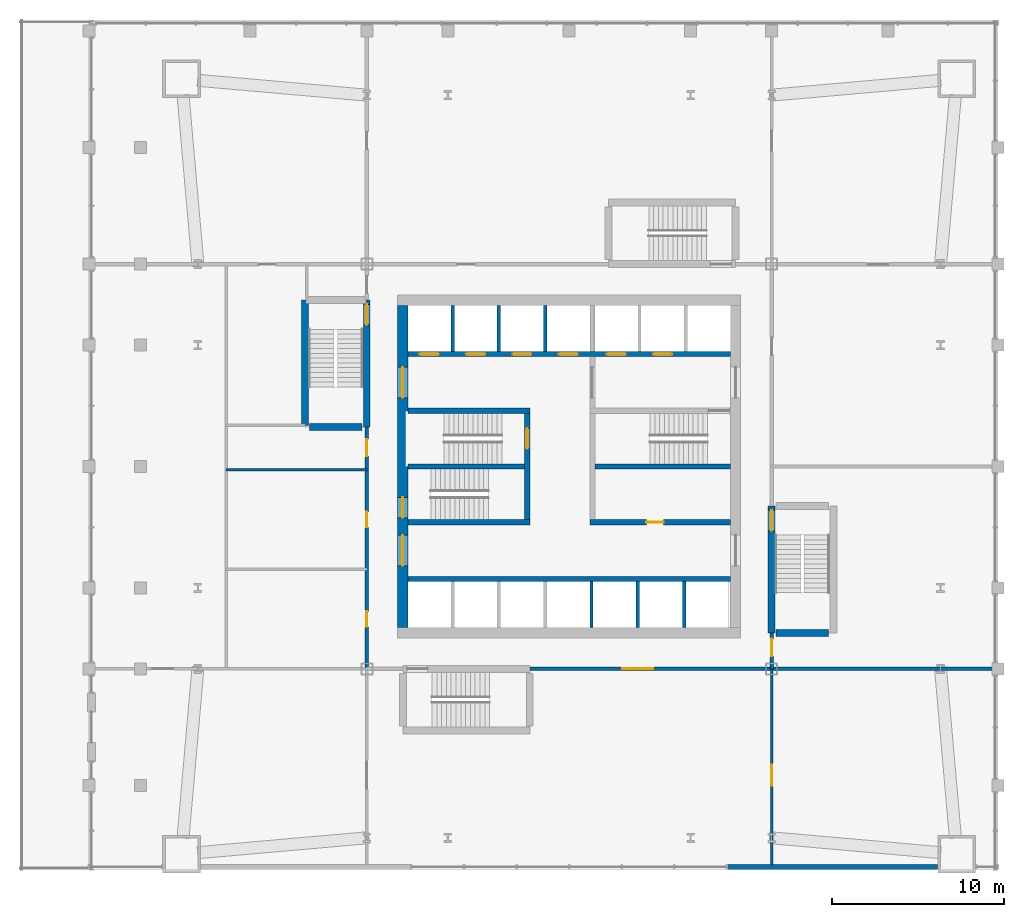
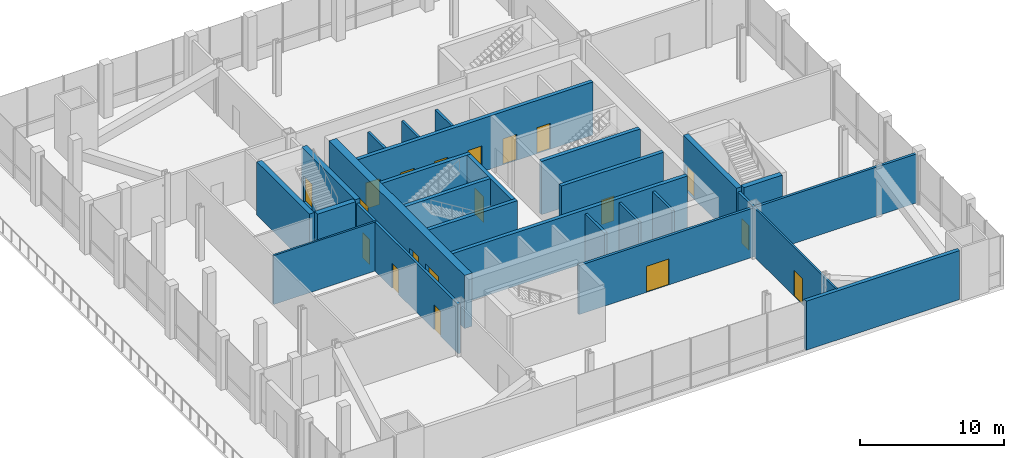
# One storey, part 12 of 15: 27 walls, 19 doors, 19 openings.
"""IFC4 building model written with IfcOpenShell, lengths in metres."""

import ifcopenshell
import ifcopenshell.guid

model = None  # the IFC model being written
_history = None  # IfcOwnerHistory: only IFC2X3 demands one
_inside = {}  # id of a spatial element -> (the spatial element, [elements in it])
_under = {}  # id of a project, library or spatial element -> (it, [spatial elements below it])
_declared = {}  # id of a project -> (the project, [libraries it declares])
_typed = {}  # id of a type object -> (the type object, [elements of that type])
_made_of = {}  # id of a material, layer set ... -> (it, [elements and type objects made of it])


def new_model(schema):
    """Start an empty IFC model of exactly this schema.

    Asked for "IFC4X3", IfcOpenShell would pick the latest addendum, in which some entities
    have other attributes; the version numbers below select the first issue.
    IFC2X3 requires an IfcOwnerHistory on every rooted entity: one is made here for all.
    """
    global model, _history
    if schema == "IFC4X3":
        model = ifcopenshell.file(schema_version=(4, 3, 0, 0))
    else:
        model = ifcopenshell.file(schema=schema)
    _inside.clear()
    _under.clear()
    _declared.clear()
    _typed.clear()
    _made_of.clear()
    _history = None
    if model.schema == "IFC2X3":
        org = make("IfcOrganization", Name="unknown")
        user = make(
            "IfcPersonAndOrganization",
            ThePerson=make("IfcPerson", FamilyName="unknown"),
            TheOrganization=org,
        )
        app = make(
            "IfcApplication",
            ApplicationDeveloper=org,
            Version="unknown",
            ApplicationFullName="unknown",
            ApplicationIdentifier="unknown",
        )
        _history = make(
            "IfcOwnerHistory",
            OwningUser=user,
            OwningApplication=app,
            ChangeAction="ADDED",
            CreationDate=0,
        )
    return model


def make(cls, **values):
    """One entity of the class cls with the attributes given. An attribute that is None is left unset."""
    return model.create_entity(
        cls, **{name: value for name, value in values.items() if value is not None}
    )


def rooted(cls, **values):
    """An entity with a GlobalId (a new one), such as an element, a storey or a relation."""
    return make(cls, GlobalId=ifcopenshell.guid.new(), OwnerHistory=_history, **values)


def si_unit(unit_type, name, prefix=None):
    """IfcSIUnit, for example si_unit("LENGTHUNIT", "METRE", prefix="MILLI")."""
    return make("IfcSIUnit", UnitType=unit_type, Prefix=prefix, Name=name)


def assignment(units):
    """IfcUnitAssignment: the units of a project."""
    return None if units is None else make("IfcUnitAssignment", Units=units)


def point(xyz):
    """IfcCartesianPoint."""
    return None if xyz is None else make("IfcCartesianPoint", Coordinates=xyz)


def direction(xyz):
    """IfcDirection."""
    return None if xyz is None else make("IfcDirection", DirectionRatios=xyz)


def frame(location, z_axis=None, x_axis=None):
    """IfcAxis2Placement3D, a coordinate frame: its origin and axes. An axis left out is left unset."""
    return make(
        "IfcAxis2Placement3D",
        Location=point(location),
        Axis=direction(z_axis),
        RefDirection=direction(x_axis),
    )


def frame_2d(location, x_axis=None):
    """IfcAxis2Placement2D, a coordinate frame in the plane: its origin and x axis."""
    return make(
        "IfcAxis2Placement2D", Location=point(location), RefDirection=direction(x_axis)
    )


def origin():
    """The frame at (0, 0, 0) with its axes left unset."""
    return frame((0.0, 0.0, 0.0))


def place(relative_to, where):
    """IfcLocalPlacement: puts the frame where relative to a parent placement (None: the world)."""
    return make(
        "IfcLocalPlacement", PlacementRelTo=relative_to, RelativePlacement=where
    )


def context(
    kind, dimensions, precision=None, world=None, true_north=None, identifier=None
):
    """IfcGeometricRepresentationContext, for example the 3D "Model" context."""
    return make(
        "IfcGeometricRepresentationContext",
        ContextIdentifier=identifier,
        ContextType=kind,
        CoordinateSpaceDimension=dimensions,
        Precision=precision,
        WorldCoordinateSystem=world,
        TrueNorth=true_north,
    )


def subcontext(parent, identifier, kind, view, scale=None):
    """IfcGeometricRepresentationSubContext, for example "Body" below "Model"."""
    return make(
        "IfcGeometricRepresentationSubContext",
        ContextIdentifier=identifier,
        ContextType=kind,
        ParentContext=parent,
        TargetScale=scale,
        TargetView=view,
    )


def project(units=None, contexts=None):
    """IfcProject with its units and contexts."""
    return rooted(
        "IfcProject",
        Name="project",
        RepresentationContexts=contexts,
        UnitsInContext=assignment(units),
    )


def spatial(cls, under=None, at=None, **own):
    """A site, building, storey or space (cls), placed at a placement, below another one or the project."""
    s = rooted(cls, ObjectPlacement=at, **own)
    if under is not None:
        _under.setdefault(under.id(), (under, []))[1].append(s)
    return s


def profile(cls, at=None, kind="AREA", **sizes):
    """A parametric profile (cls). Its sizes go by their IFC names, for example OverallWidth=200.0."""
    return make(cls, ProfileType=kind, Position=at, **sizes)


def rectangle(**sizes):
    """IfcRectangleProfileDef."""
    return profile("IfcRectangleProfileDef", **sizes)


def extrude(swept, where, along, depth):
    """IfcExtrudedAreaSolid: the profile swept, set in the frame where, extruded along a direction by depth."""
    return make(
        "IfcExtrudedAreaSolid",
        SweptArea=swept,
        Position=where,
        ExtrudedDirection=direction(along),
        Depth=depth,
    )


def shape(context_of_items, identifier, shape_type, items):
    """IfcShapeRepresentation: the items that make up one representation, for example the "Body"."""
    return make(
        "IfcShapeRepresentation",
        ContextOfItems=context_of_items,
        RepresentationIdentifier=identifier,
        RepresentationType=shape_type,
        Items=items,
    )


def material(Name=None, Category=None):
    """IfcMaterial."""
    return make("IfcMaterial", Name=Name, Category=Category)


def layer(
    of_material, thickness, ventilated=None, Name=None, Category=None, Priority=None
):
    """IfcMaterialLayer: one layer of a wall or slab, of a material (None: an air gap)."""
    return make(
        "IfcMaterialLayer",
        Material=of_material,
        LayerThickness=thickness,
        IsVentilated=ventilated,
        Name=Name,
        Category=Category,
        Priority=Priority,
    )


def layer_set(layers, Name=None):
    """IfcMaterialLayerSet."""
    return make("IfcMaterialLayerSet", MaterialLayers=layers, LayerSetName=Name)


def made_of(thing, what):
    """Note that an element or type object is made of a material, layer set ...; save() writes the relation."""
    if what is not None:
        _made_of.setdefault(what.id(), (what, []))[1].append(thing)
    return thing


def type_object(cls, material=None, **own):
    """A type object (cls), such as IfcWallType, which elements share."""
    return made_of(rooted(cls, **own), material)


def element(
    cls,
    number,
    at=None,
    inside=None,
    cuts=None,
    type_object=None,
    material=None,
    context=None,
    identifier="Body",
    shape_type=None,
    held_by="IfcProductDefinitionShape",
    body=None,
    shapes=None,
    **own,
):
    """One element of the class cls, such as IfcWall. Its Tag is "e" and its number.

    at: its placement. inside: the storey or other place that contains it. cuts: it is an
    opening in that element (IfcRelVoidsElement). A single representation is given by context,
    identifier, shape_type and body (its items); several are given by shapes. held_by: the class
    of the entity that holds the representations. save() writes the other relations.
    """
    e = rooted(cls, Tag="e%d" % number, ObjectPlacement=at, **own)
    if body is not None:
        shapes = [shape(context, identifier, shape_type, body)]
    if shapes is not None:
        e.Representation = make(held_by, Representations=shapes)
    if inside is not None:
        _inside.setdefault(inside.id(), (inside, []))[1].append(e)
    if cuts is not None:
        rooted(
            "IfcRelVoidsElement", RelatingBuildingElement=cuts, RelatedOpeningElement=e
        )
    if type_object is not None:
        _typed.setdefault(type_object.id(), (type_object, []))[1].append(e)
    return made_of(e, material)


def fill(opening, filler):
    """IfcRelFillsElement: the door or window that sits in an opening."""
    return rooted(
        "IfcRelFillsElement",
        RelatingOpeningElement=opening,
        RelatedBuildingElement=filler,
    )


def aggregate(whole, parts):
    """IfcRelAggregates: a whole, such as a stair, and the parts it consists of."""
    return rooted("IfcRelAggregates", RelatingObject=whole, RelatedObjects=parts)


def save(model, path):
    """Write the relations noted so far, then the file.

    IfcRelAggregates (storeys below a building ...), IfcRelContainedInSpatialStructure (elements
    in a storey), IfcRelDefinesByType, IfcRelAssociatesMaterial and IfcRelDeclares: one each for
    every whole, place, type object, material and project.
    """
    for whole, parts in _under.values():
        aggregate(whole, parts)
    for where, things in _inside.values():
        rooted(
            "IfcRelContainedInSpatialStructure",
            RelatedElements=things,
            RelatingStructure=where,
        )
    for kind, things in _typed.values():
        rooted("IfcRelDefinesByType", RelatedObjects=things, RelatingType=kind)
    for what, things in _made_of.values():
        rooted("IfcRelAssociatesMaterial", RelatedObjects=things, RelatingMaterial=what)
    for by, libraries in _declared.values():
        rooted("IfcRelDeclares", RelatingContext=by, RelatedDefinitions=libraries)
    model.write(path)


model = new_model("IFC4")

# Units and contexts
model_context = context("Model", 3, precision=1e-05, world=origin(), true_north=direction((0.0, 1.0)))
body_context = subcontext(model_context, "Body", "Model", "MODEL_VIEW")
ifc_project = project(units=[si_unit("LENGTHUNIT", "METRE"), si_unit("AREAUNIT", "SQUARE_METRE"), si_unit("VOLUMEUNIT", "CUBIC_METRE"), si_unit("PLANEANGLEUNIT", "RADIAN"), si_unit("MASSUNIT", "GRAM", prefix="KILO")], contexts=[model_context])

# Site, building, storey
site_placement = place(None, origin())
site = spatial("IfcSite", under=ifc_project, at=site_placement, CompositionType="ELEMENT")
building_placement = place(site_placement, origin())
building = spatial("IfcBuilding", under=site, at=building_placement, Name="Turquesa Mirador Hotel Tower", CompositionType="ELEMENT")
storey_placement = place(building_placement, frame((0.0, 0.0, 16.0)))
storey = spatial("IfcBuildingStorey", under=building, at=storey_placement, Name="L03", CompositionType="ELEMENT", Elevation=16.0)

# Wall, openings, doors
ifc_material_1 = material(Name="Concrete C50/60", Category="concrete")
ifc_layer_1 = layer(ifc_material_1, 0.300048828125)
ifc_layer_set_1 = layer_set([ifc_layer_1], Name="CORE INNER WALL 300")
wall_type_1 = type_object("IfcWallType", Name="CORE INNER WALL 300", PredefinedType="SHEAR", material=ifc_layer_set_1)
wall_1_placement = place(storey_placement, frame((45.60009765625, 51.550048828125, 0.0), z_axis=(0.0, 0.0, 1.0), x_axis=(1.0, 0.0, 0.0)))
wall_1 = element("IfcWall", 1, at=wall_1_placement, inside=storey, type_object=wall_type_1, Name="Core wall NL", PredefinedType="SHEAR", context=body_context, shape_type="SweptSolid", body=[
    extrude(rectangle(XDim=18.7998046875, YDim=0.300048828125, at=frame_2d((9.39990234375, 0.0))), origin(), (0.0, 0.0, 1.0), 4.5),
])
opening_1_placement = place(wall_1_placement, frame((0.699951171875, 0.0, 0.0)))
opening_1 = element("IfcOpeningElement", 2, at=opening_1_placement, cuts=wall_1, Name="Opening LD", PredefinedType="OPENING", context=body_context, shape_type="SweptSolid", body=[
    extrude(rectangle(XDim=1.10009765625, YDim=2.199951171875, at=frame_2d((0.550048828125, 1.10009765625))), frame((0.0, 0.159912109375, 0.0), z_axis=(0.0, -1.0, 0.0), x_axis=(1.0, 0.0, 0.0)), (0.0, 0.0, 1.0), 0.320068359375),
])
opening_2_placement = place(wall_1_placement, frame((3.39990234375, 0.0, 0.0)))
opening_2 = element("IfcOpeningElement", 3, at=opening_2_placement, cuts=wall_1, Name="Opening LD", PredefinedType="OPENING", context=body_context, shape_type="SweptSolid", body=[
    extrude(rectangle(XDim=1.10009765625, YDim=2.199951171875, at=frame_2d((0.550048828125, 1.10009765625))), frame((0.0, 0.159912109375, 0.0), z_axis=(0.0, -1.0, 0.0), x_axis=(1.0, 0.0, 0.0)), (0.0, 0.0, 1.0), 0.320068359375),
])
opening_3_placement = place(wall_1_placement, frame((6.10009765625, 0.0, 0.0)))
opening_3 = element("IfcOpeningElement", 4, at=opening_3_placement, cuts=wall_1, Name="Opening LD", PredefinedType="OPENING", context=body_context, shape_type="SweptSolid", body=[
    extrude(rectangle(XDim=1.10009765625, YDim=2.199951171875, at=frame_2d((0.550048828125, 1.10009765625))), frame((0.0, 0.159912109375, 0.0), z_axis=(0.0, -1.0, 0.0), x_axis=(1.0, 0.0, 0.0)), (0.0, 0.0, 1.0), 0.320068359375),
])
opening_4_placement = place(wall_1_placement, frame((8.800048828125, 0.0, 0.0)))
opening_4 = element("IfcOpeningElement", 5, at=opening_4_placement, cuts=wall_1, Name="Opening LD", PredefinedType="OPENING", context=body_context, shape_type="SweptSolid", body=[
    extrude(rectangle(XDim=1.10009765625, YDim=2.199951171875, at=frame_2d((0.550048828125, 1.10009765625))), frame((0.0, 0.159912109375, 0.0), z_axis=(0.0, -1.0, 0.0), x_axis=(1.0, 0.0, 0.0)), (0.0, 0.0, 1.0), 0.320068359375),
])
opening_5_placement = place(wall_1_placement, frame((11.60009765625, 0.0, 0.0)))
opening_5 = element("IfcOpeningElement", 6, at=opening_5_placement, cuts=wall_1, Name="Opening LD", PredefinedType="OPENING", context=body_context, shape_type="SweptSolid", body=[
    extrude(rectangle(XDim=1.10009765625, YDim=2.199951171875, at=frame_2d((0.550048828125, 1.10009765625))), frame((0.0, 0.159912109375, 0.0), z_axis=(0.0, -1.0, 0.0), x_axis=(1.0, 0.0, 0.0)), (0.0, 0.0, 1.0), 0.320068359375),
])
opening_6_placement = place(wall_1_placement, frame((14.300048828125, 0.0, 0.0)))
opening_6 = element("IfcOpeningElement", 7, at=opening_6_placement, cuts=wall_1, Name="Opening LD", PredefinedType="OPENING", context=body_context, shape_type="SweptSolid", body=[
    extrude(rectangle(XDim=1.10009765625, YDim=2.199951171875, at=frame_2d((0.550048828125, 1.10009765625))), frame((0.0, 0.159912109375, 0.0), z_axis=(0.0, -1.0, 0.0), x_axis=(1.0, 0.0, 0.0)), (0.0, 0.0, 1.0), 0.320068359375),
])
ifc_material_2 = material(Name="Stainless steel lift landing door", Category="steel")
door_type_1 = type_object("IfcDoorType", Name="LIFT LANDING DOOR 1100X2200", OperationType="SLIDING_TO_LEFT", PredefinedType="DOOR", material=ifc_material_2)
door_1_placement = place(opening_1_placement, origin())
door_1 = element("IfcDoor", 8, at=door_1_placement, inside=storey, type_object=door_type_1, Name="Lift A1 landing door", OperationType="SLIDING_TO_LEFT", OverallHeight=2.199951171875, OverallWidth=1.10009765625, PredefinedType="DOOR", context=body_context, shape_type="SweptSolid", body=[
    extrude(rectangle(XDim=1.10009765625, YDim=2.199951171875, at=frame_2d((0.550048828125, 1.10009765625))), frame((0.0, 0.02490234375, 0.0), z_axis=(0.0, -1.0, 0.0), x_axis=(1.0, 0.0, 0.0)), (0.0, 0.0, 1.0), 0.050048828125),
])
fill(opening_1, door_1)
door_2_placement = place(opening_2_placement, origin())
door_2 = element("IfcDoor", 9, at=door_2_placement, inside=storey, type_object=door_type_1, Name="Lift A2 landing door", OperationType="SLIDING_TO_LEFT", OverallHeight=2.199951171875, OverallWidth=1.10009765625, PredefinedType="DOOR", context=body_context, shape_type="SweptSolid", body=[
    extrude(rectangle(XDim=1.10009765625, YDim=2.199951171875, at=frame_2d((0.550048828125, 1.10009765625))), frame((0.0, 0.02490234375, 0.0), z_axis=(0.0, -1.0, 0.0), x_axis=(1.0, 0.0, 0.0)), (0.0, 0.0, 1.0), 0.050048828125),
])
fill(opening_2, door_2)
door_3_placement = place(opening_3_placement, origin())
door_3 = element("IfcDoor", 10, at=door_3_placement, inside=storey, type_object=door_type_1, Name="Lift A3 landing door", OperationType="SLIDING_TO_LEFT", OverallHeight=2.199951171875, OverallWidth=1.10009765625, PredefinedType="DOOR", context=body_context, shape_type="SweptSolid", body=[
    extrude(rectangle(XDim=1.10009765625, YDim=2.199951171875, at=frame_2d((0.550048828125, 1.10009765625))), frame((0.0, 0.02490234375, 0.0), z_axis=(0.0, -1.0, 0.0), x_axis=(1.0, 0.0, 0.0)), (0.0, 0.0, 1.0), 0.050048828125),
])
fill(opening_3, door_3)
door_4_placement = place(opening_4_placement, origin())
door_4 = element("IfcDoor", 11, at=door_4_placement, inside=storey, type_object=door_type_1, Name="Lift A4 landing door", OperationType="SLIDING_TO_LEFT", OverallHeight=2.199951171875, OverallWidth=1.10009765625, PredefinedType="DOOR", context=body_context, shape_type="SweptSolid", body=[
    extrude(rectangle(XDim=1.10009765625, YDim=2.199951171875, at=frame_2d((0.550048828125, 1.10009765625))), frame((0.0, 0.02490234375, 0.0), z_axis=(0.0, -1.0, 0.0), x_axis=(1.0, 0.0, 0.0)), (0.0, 0.0, 1.0), 0.050048828125),
])
fill(opening_4, door_4)
door_5_placement = place(opening_5_placement, origin())
door_5 = element("IfcDoor", 12, at=door_5_placement, inside=storey, type_object=door_type_1, Name="Lift S1 landing door", OperationType="SLIDING_TO_LEFT", OverallHeight=2.199951171875, OverallWidth=1.10009765625, PredefinedType="DOOR", context=body_context, shape_type="SweptSolid", body=[
    extrude(rectangle(XDim=1.10009765625, YDim=2.199951171875, at=frame_2d((0.550048828125, 1.10009765625))), frame((0.0, 0.02490234375, 0.0), z_axis=(0.0, -1.0, 0.0), x_axis=(1.0, 0.0, 0.0)), (0.0, 0.0, 1.0), 0.050048828125),
])
fill(opening_5, door_5)
door_6_placement = place(opening_6_placement, origin())
door_6 = element("IfcDoor", 13, at=door_6_placement, inside=storey, type_object=door_type_1, Name="Lift S2 landing door", OperationType="SLIDING_TO_LEFT", OverallHeight=2.199951171875, OverallWidth=1.10009765625, PredefinedType="DOOR", context=body_context, shape_type="SweptSolid", body=[
    extrude(rectangle(XDim=1.10009765625, YDim=2.199951171875, at=frame_2d((0.550048828125, 1.10009765625))), frame((0.0, 0.02490234375, 0.0), z_axis=(0.0, -1.0, 0.0), x_axis=(1.0, 0.0, 0.0)), (0.0, 0.0, 1.0), 0.050048828125),
])
fill(opening_6, door_6)

# Walls
wall_2_placement = place(storey_placement, frame((45.60009765625, 38.449951171875, 0.0), z_axis=(0.0, 0.0, 1.0), x_axis=(1.0, 0.0, 0.0)))
element("IfcWall", 14, at=wall_2_placement, inside=storey, type_object=wall_type_1, Name="Core wall SL", PredefinedType="SHEAR", context=body_context, shape_type="SweptSolid", body=[
    extrude(rectangle(XDim=18.7998046875, YDim=0.300048828125, at=frame_2d((9.39990234375, 0.0))), origin(), (0.0, 0.0, 1.0), 4.5),
])
for number, where, z_axis, x_axis, name in (
    (15, (45.60009765625, 48.25, 0.0), (0.0, 0.0, 1.0), (1.0, 0.0, 0.0), "Core wall MN-W"),
    (16, (45.60009765625, 41.75, 0.0), (0.0, 0.0, 1.0), (1.0, 0.0, 0.0), "Core wall MS-W"),
):
    element("IfcWall", number, at=place(storey_placement, frame(where, z_axis=z_axis, x_axis=x_axis)), inside=storey, type_object=wall_type_1, Name=name, PredefinedType="SHEAR", context=body_context, shape_type="SweptSolid", body=[
        extrude(rectangle(XDim=7.099853515625, YDim=0.300048828125, at=frame_2d((3.5498046875, 0.0))), origin(), (0.0, 0.0, 1.0), 4.5),
    ])

# Wall, opening, door
wall_3_placement = place(storey_placement, frame((56.199951171875, 41.75, 0.0), z_axis=(0.0, 0.0, 1.0), x_axis=(1.0, 0.0, 0.0)))
wall_3 = element("IfcWall", 17, at=wall_3_placement, inside=storey, type_object=wall_type_1, Name="Core wall MS-E", PredefinedType="SHEAR", context=body_context, shape_type="SweptSolid", body=[
    extrude(rectangle(XDim=8.199951171875, YDim=0.300048828125, at=frame_2d((4.10009765625, 0.0))), origin(), (0.0, 0.0, 1.0), 4.5),
])
opening_7_placement = place(wall_3_placement, frame((3.300048828125, 0.0, 0.0)))
opening_7 = element("IfcOpeningElement", 18, at=opening_7_placement, cuts=wall_3, Name="Opening D05", PredefinedType="OPENING", context=body_context, shape_type="SweptSolid", body=[
    extrude(rectangle(XDim=1.0, YDim=2.10009765625, at=frame_2d((0.5, 1.050048828125))), frame((0.0, 0.159912109375, 0.0), z_axis=(0.0, -1.0, 0.0), x_axis=(1.0, 0.0, 0.0)), (0.0, 0.0, 1.0), 0.320068359375),
])
ifc_material_3 = material(Name="Steel fire door", Category="steel")
door_type_2 = type_object("IfcDoorType", Name="DOOR 1000X2100 SERVICE", OperationType="SINGLE_SWING_LEFT", PredefinedType="DOOR", material=ifc_material_3)
door_7_placement = place(opening_7_placement, origin())
door_7 = element("IfcDoor", 19, at=door_7_placement, inside=storey, type_object=door_type_2, Name="Housekeeping room door", OperationType="SINGLE_SWING_LEFT", OverallHeight=2.10009765625, OverallWidth=1.0, PredefinedType="DOOR", context=body_context, shape_type="SweptSolid", body=[
    extrude(rectangle(XDim=1.0, YDim=2.10009765625, at=frame_2d((0.5, 1.050048828125))), frame((0.0, 0.02490234375, 0.0), z_axis=(0.0, -1.0, 0.0), x_axis=(1.0, 0.0, 0.0)), (0.0, 0.0, 1.0), 0.050048828125),
])
fill(opening_7, door_7)

wall_4_placement = place(storey_placement, frame((52.550048828125, 41.89990234375, 0.0), z_axis=(0.0, 0.0, 1.0), x_axis=(0.0, 1.0, 0.0)))
wall_4 = element("IfcWall", 20, at=wall_4_placement, inside=storey, type_object=wall_type_1, Name="Core wall PW", PredefinedType="SHEAR", context=body_context, shape_type="SweptSolid", body=[
    extrude(rectangle(XDim=6.2001953125, YDim=0.300048828125, at=frame_2d((3.10009765625, 0.0))), origin(), (0.0, 0.0, 1.0), 4.5),
])
opening_8_placement = place(wall_4_placement, frame((4.125, 0.0, 0.0)))
opening_8 = element("IfcOpeningElement", 21, at=opening_8_placement, cuts=wall_4, Name="Opening D03", PredefinedType="OPENING", context=body_context, shape_type="SweptSolid", body=[
    extrude(rectangle(XDim=1.199951171875, YDim=2.199951171875, at=frame_2d((0.60009765625, 1.10009765625))), frame((0.0, 0.159912109375, 0.0), z_axis=(0.0, -1.0, 0.0), x_axis=(1.0, 0.0, 0.0)), (0.0, 0.0, 1.0), 0.320068359375),
])
ifc_material_4 = material(Name="Steel fire door", Category="steel")
door_type_3 = type_object("IfcDoorType", Name="DOOR 1200X2200 STAIR", OperationType="SINGLE_SWING_LEFT", PredefinedType="DOOR", material=ifc_material_4)
door_8_placement = place(opening_8_placement, origin())
door_8 = element("IfcDoor", 22, at=door_8_placement, inside=storey, type_object=door_type_3, Name="Stair ST1 door", OperationType="SINGLE_SWING_LEFT", OverallHeight=2.199951171875, OverallWidth=1.199951171875, PredefinedType="DOOR", context=body_context, shape_type="SweptSolid", body=[
    extrude(rectangle(XDim=1.199951171875, YDim=2.199951171875, at=frame_2d((0.60009765625, 1.10009765625))), frame((0.0, 0.02490234375, 0.0), z_axis=(0.0, -1.0, 0.0), x_axis=(1.0, 0.0, 0.0)), (0.0, 0.0, 1.0), 0.050048828125),
])
fill(opening_8, door_8)

# Walls
wall_5_placement = place(storey_placement, frame((45.60009765625, 45.0, 0.0), z_axis=(0.0, 0.0, 1.0), x_axis=(1.0, 0.0, 0.0)))
element("IfcWall", 23, at=wall_5_placement, inside=storey, type_object=wall_type_1, Name="Core wall M0-W", PredefinedType="SHEAR", context=body_context, shape_type="SweptSolid", body=[
    extrude(rectangle(XDim=6.7998046875, YDim=0.300048828125, at=frame_2d((3.39990234375, 0.0))), origin(), (0.0, 0.0, 1.0), 4.5),
])
wall_6_placement = place(storey_placement, frame((56.5, 45.0, 0.0), z_axis=(0.0, 0.0, 1.0), x_axis=(1.0, 0.0, 0.0)))
element("IfcWall", 24, at=wall_6_placement, inside=storey, type_object=wall_type_1, Name="Core wall M0-E", PredefinedType="SHEAR", context=body_context, shape_type="SweptSolid", body=[
    extrude(rectangle(XDim=7.89990234375, YDim=0.300048828125, at=frame_2d((3.949951171875, 0.0))), origin(), (0.0, 0.0, 1.0), 4.5),
])

# Wall, openings, doors
ifc_material_5 = material(Name="Concrete C50/60", Category="concrete")
ifc_layer_2 = layer(ifc_material_5, 0.60009765625)
ifc_layer_set_2 = layer_set([ifc_layer_2], Name="CORE WALL 600")
wall_type_2 = type_object("IfcWallType", Name="CORE WALL 600", PredefinedType="SHEAR", material=ifc_layer_set_2)
wall_7_placement = place(storey_placement, frame((45.300048828125, 35.60009765625, 0.0), z_axis=(0.0, 0.0, 1.0), x_axis=(0.0, 1.0, 0.0)))
wall_7 = element("IfcWall", 25, at=wall_7_placement, inside=storey, type_object=wall_type_2, Name="Core wall W", PredefinedType="SHEAR", context=body_context, shape_type="SweptSolid", body=[
    extrude(rectangle(XDim=18.7998046875, YDim=0.60009765625, at=frame_2d((9.39990234375, 0.0))), origin(), (0.0, 0.0, 1.0), 4.5),
])
opening_9_placement = place(wall_7_placement, frame((13.39990234375, 0.0, 0.0)))
opening_9 = element("IfcOpeningElement", 26, at=opening_9_placement, cuts=wall_7, Name="Opening D04", PredefinedType="OPENING", context=body_context, shape_type="SweptSolid", body=[
    extrude(rectangle(XDim=1.800048828125, YDim=2.199951171875, at=frame_2d((0.89990234375, 1.10009765625))), frame((0.0, 0.31005859375, 0.0), z_axis=(0.0, -1.0, 0.0), x_axis=(1.0, 0.0, 0.0)), (0.0, 0.0, 1.0), 0.6201171875),
])
opening_10_placement = place(wall_7_placement, frame((3.60009765625, 0.0, 0.0)))
opening_10 = element("IfcOpeningElement", 27, at=opening_10_placement, cuts=wall_7, Name="Opening D04", PredefinedType="OPENING", context=body_context, shape_type="SweptSolid", body=[
    extrude(rectangle(XDim=1.800048828125, YDim=2.199951171875, at=frame_2d((0.89990234375, 1.10009765625))), frame((0.0, 0.31005859375, 0.0), z_axis=(0.0, -1.0, 0.0), x_axis=(1.0, 0.0, 0.0)), (0.0, 0.0, 1.0), 0.6201171875),
])
opening_11_placement = place(wall_7_placement, frame((6.39990234375, 0.0, 0.0)))
opening_11 = element("IfcOpeningElement", 28, at=opening_11_placement, cuts=wall_7, Name="Opening D03", PredefinedType="OPENING", context=body_context, shape_type="SweptSolid", body=[
    extrude(rectangle(XDim=1.199951171875, YDim=2.199951171875, at=frame_2d((0.60009765625, 1.10009765625))), frame((0.0, 0.31005859375, 0.0), z_axis=(0.0, -1.0, 0.0), x_axis=(1.0, 0.0, 0.0)), (0.0, 0.0, 1.0), 0.6201171875),
])
door_9_placement = place(opening_11_placement, origin())
door_9 = element("IfcDoor", 29, at=door_9_placement, inside=storey, type_object=door_type_3, Name="Stair ST2 door", OperationType="SINGLE_SWING_LEFT", OverallHeight=2.199951171875, OverallWidth=1.199951171875, PredefinedType="DOOR", context=body_context, shape_type="SweptSolid", body=[
    extrude(rectangle(XDim=1.199951171875, YDim=2.199951171875, at=frame_2d((0.60009765625, 1.10009765625))), frame((0.0, 0.02490234375, 0.0), z_axis=(0.0, -1.0, 0.0), x_axis=(1.0, 0.0, 0.0)), (0.0, 0.0, 1.0), 0.050048828125),
])
fill(opening_11, door_9)
ifc_material_6 = material(Name="Steel fire door pair", Category="steel")
door_type_4 = type_object("IfcDoorType", Name="DOOR 1800X2200 PAIR", OperationType="DOUBLE_DOOR_SINGLE_SWING", PredefinedType="DOOR", material=ifc_material_6)
door_10_placement = place(opening_9_placement, origin())
door_10 = element("IfcDoor", 30, at=door_10_placement, inside=storey, type_object=door_type_4, Name="North lift lobby door", OperationType="DOUBLE_DOOR_SINGLE_SWING", OverallHeight=2.199951171875, OverallWidth=1.800048828125, PredefinedType="DOOR", context=body_context, shape_type="SweptSolid", body=[
    extrude(rectangle(XDim=1.800048828125, YDim=2.199951171875, at=frame_2d((0.89990234375, 1.10009765625))), frame((0.0, 0.02490234375, 0.0), z_axis=(0.0, -1.0, 0.0), x_axis=(1.0, 0.0, 0.0)), (0.0, 0.0, 1.0), 0.050048828125),
])
fill(opening_9, door_10)
door_11_placement = place(opening_10_placement, origin())
door_11 = element("IfcDoor", 31, at=door_11_placement, inside=storey, type_object=door_type_4, Name="South lift lobby door", OperationType="DOUBLE_DOOR_SINGLE_SWING", OverallHeight=2.199951171875, OverallWidth=1.800048828125, PredefinedType="DOOR", context=body_context, shape_type="SweptSolid", body=[
    extrude(rectangle(XDim=1.800048828125, YDim=2.199951171875, at=frame_2d((0.89990234375, 1.10009765625))), frame((0.0, 0.02490234375, 0.0), z_axis=(0.0, -1.0, 0.0), x_axis=(1.0, 0.0, 0.0)), (0.0, 0.0, 1.0), 0.050048828125),
])
fill(opening_10, door_11)

# Wall, opening, door
ifc_material_7 = material(Name="Fire-rated gypsum board on steel studs", Category="steel")
ifc_layer_3 = layer(ifc_material_7, 0.199951171875)
ifc_layer_set_3 = layer_set([ifc_layer_3], Name="CORRIDOR WALL 200")
wall_type_3 = type_object("IfcWallType", Name="CORRIDOR WALL 200", PredefinedType="PARTITIONING", material=ifc_layer_set_3)
wall_8_placement = place(storey_placement, frame((52.699951171875, 33.199951171875, 0.0), z_axis=(0.0, 0.0, 1.0), x_axis=(1.0, 0.0, 0.0)))
wall_8 = element("IfcWall", 32, at=wall_8_placement, inside=storey, type_object=wall_type_3, Name="Partition L03 003", PredefinedType="PARTITIONING", context=body_context, shape_type="SweptSolid", body=[
    extrude(rectangle(XDim=14.10009765625, YDim=0.199951171875, at=frame_2d((7.050048828125, 0.0))), origin(), (0.0, 0.0, 1.0), 4.14990234375),
])
opening_12_placement = place(wall_8_placement, frame((5.39990234375, 0.0, 0.0)))
opening_12 = element("IfcOpeningElement", 33, at=opening_12_placement, cuts=wall_8, Name="Opening D04", PredefinedType="OPENING", context=body_context, shape_type="SweptSolid", body=[
    extrude(rectangle(XDim=1.800048828125, YDim=2.199951171875, at=frame_2d((0.89990234375, 1.10009765625))), frame((0.0, 0.10986328125, 0.0), z_axis=(0.0, -1.0, 0.0), x_axis=(1.0, 0.0, 0.0)), (0.0, 0.0, 1.0), 0.219970703125),
])
door_12_placement = place(opening_12_placement, origin())
door_12 = element("IfcDoor", 34, at=door_12_placement, inside=storey, type_object=door_type_4, Name="Door L03-01", OperationType="DOUBLE_DOOR_SINGLE_SWING", OverallHeight=2.199951171875, OverallWidth=1.800048828125, PredefinedType="DOOR", context=body_context, shape_type="SweptSolid", body=[
    extrude(rectangle(XDim=1.800048828125, YDim=2.199951171875, at=frame_2d((0.89990234375, 1.10009765625))), frame((0.0, 0.02490234375, 0.0), z_axis=(0.0, -1.0, 0.0), x_axis=(1.0, 0.0, 0.0)), (0.0, 0.0, 1.0), 0.050048828125),
])
fill(opening_12, door_12)

# Wall, openings, doors
wall_9_placement = place(storey_placement, frame((43.199951171875, 33.199951171875, 0.0), z_axis=(0.0, 0.0, 1.0), x_axis=(0.0, 1.0, 0.0)))
wall_9 = element("IfcWall", 35, at=wall_9_placement, inside=storey, type_object=wall_type_3, Name="Partition L03 020", PredefinedType="PARTITIONING", context=body_context, shape_type="SweptSolid", body=[
    extrude(rectangle(XDim=14.10009765625, YDim=0.199951171875, at=frame_2d((7.050048828125, 0.0))), origin(), (0.0, 0.0, 1.0), 4.14990234375),
])
opening_13_placement = place(wall_9_placement, frame((12.39990234375, 0.0, 0.0)))
opening_13 = element("IfcOpeningElement", 36, at=opening_13_placement, cuts=wall_9, Name="Opening D07", PredefinedType="OPENING", context=body_context, shape_type="SweptSolid", body=[
    extrude(rectangle(XDim=1.0, YDim=2.10009765625, at=frame_2d((0.5, 1.050048828125))), frame((0.0, 0.10986328125, 0.0), z_axis=(0.0, -1.0, 0.0), x_axis=(1.0, 0.0, 0.0)), (0.0, 0.0, 1.0), 0.219970703125),
])
opening_14_placement = place(wall_9_placement, frame((2.449951171875, 0.0, 0.0)))
opening_14 = element("IfcOpeningElement", 37, at=opening_14_placement, cuts=wall_9, Name="Opening D06", PredefinedType="OPENING", context=body_context, shape_type="SweptSolid", body=[
    extrude(rectangle(XDim=0.89990234375, YDim=2.10009765625, at=frame_2d((0.449951171875, 1.050048828125))), frame((0.0, 0.10986328125, 0.0), z_axis=(0.0, -1.0, 0.0), x_axis=(1.0, 0.0, 0.0)), (0.0, 0.0, 1.0), 0.219970703125),
])
opening_15_placement = place(wall_9_placement, frame((8.25, 0.0, 0.0)))
opening_15 = element("IfcOpeningElement", 38, at=opening_15_placement, cuts=wall_9, Name="Opening D06", PredefinedType="OPENING", context=body_context, shape_type="SweptSolid", body=[
    extrude(rectangle(XDim=0.89990234375, YDim=2.10009765625, at=frame_2d((0.449951171875, 1.050048828125))), frame((0.0, 0.10986328125, 0.0), z_axis=(0.0, -1.0, 0.0), x_axis=(1.0, 0.0, 0.0)), (0.0, 0.0, 1.0), 0.219970703125),
])
ifc_material_8 = material(Name="Laminate sliding door", Category="wood")
door_type_5 = type_object("IfcDoorType", Name="DOOR 1000X2100 ACCESSIBLE WC", OperationType="SLIDING_TO_LEFT", PredefinedType="DOOR", material=ifc_material_8)
door_13_placement = place(opening_13_placement, origin())
door_13 = element("IfcDoor", 39, at=door_13_placement, inside=storey, type_object=door_type_5, Name="Door L03-06", OperationType="SLIDING_TO_LEFT", OverallHeight=2.10009765625, OverallWidth=1.0, PredefinedType="DOOR", context=body_context, shape_type="SweptSolid", body=[
    extrude(rectangle(XDim=1.0, YDim=2.10009765625, at=frame_2d((0.5, 1.050048828125))), frame((0.0, 0.02490234375, 0.0), z_axis=(0.0, -1.0, 0.0), x_axis=(1.0, 0.0, 0.0)), (0.0, 0.0, 1.0), 0.050048828125),
])
fill(opening_13, door_13)
ifc_material_9 = material(Name="Laminate door", Category="wood")
door_type_6 = type_object("IfcDoorType", Name="DOOR 900X2100 WC", OperationType="SINGLE_SWING_LEFT", PredefinedType="DOOR", material=ifc_material_9)
door_14_placement = place(opening_14_placement, origin())
door_14 = element("IfcDoor", 40, at=door_14_placement, inside=storey, type_object=door_type_6, Name="Door L03-04", OperationType="SINGLE_SWING_LEFT", OverallHeight=2.10009765625, OverallWidth=0.89990234375, PredefinedType="DOOR", context=body_context, shape_type="SweptSolid", body=[
    extrude(rectangle(XDim=0.89990234375, YDim=2.10009765625, at=frame_2d((0.449951171875, 1.050048828125))), frame((0.0, 0.02490234375, 0.0), z_axis=(0.0, -1.0, 0.0), x_axis=(1.0, 0.0, 0.0)), (0.0, 0.0, 1.0), 0.050048828125),
])
fill(opening_14, door_14)
door_15_placement = place(opening_15_placement, origin())
door_15 = element("IfcDoor", 41, at=door_15_placement, inside=storey, type_object=door_type_6, Name="Door L03-05", OperationType="SINGLE_SWING_LEFT", OverallHeight=2.10009765625, OverallWidth=0.89990234375, PredefinedType="DOOR", context=body_context, shape_type="SweptSolid", body=[
    extrude(rectangle(XDim=0.89990234375, YDim=2.10009765625, at=frame_2d((0.449951171875, 1.050048828125))), frame((0.0, 0.02490234375, 0.0), z_axis=(0.0, -1.0, 0.0), x_axis=(1.0, 0.0, 0.0)), (0.0, 0.0, 1.0), 0.050048828125),
])
fill(opening_15, door_15)

# Wall, opening, door
wall_10_placement = place(storey_placement, frame((66.800048828125, 33.199951171875, 0.0), z_axis=(0.0, 0.0, 1.0), x_axis=(0.0, 1.0, 0.0)))
wall_10 = element("IfcWall", 42, at=wall_10_placement, inside=storey, type_object=wall_type_3, Name="Partition L03 028", PredefinedType="PARTITIONING", context=body_context, shape_type="SweptSolid", body=[
    extrude(rectangle(XDim=2.10009765625, YDim=0.199951171875, at=frame_2d((1.050048828125, 0.0))), origin(), (0.0, 0.0, 1.0), 4.14990234375),
])
opening_16_placement = place(wall_10_placement, frame((0.75, 0.0, 0.0)))
opening_16 = element("IfcOpeningElement", 43, at=opening_16_placement, cuts=wall_10, Name="Opening D05", PredefinedType="OPENING", context=body_context, shape_type="SweptSolid", body=[
    extrude(rectangle(XDim=1.0, YDim=2.10009765625, at=frame_2d((0.5, 1.050048828125))), frame((0.0, 0.10986328125, 0.0), z_axis=(0.0, -1.0, 0.0), x_axis=(1.0, 0.0, 0.0)), (0.0, 0.0, 1.0), 0.219970703125),
])
door_16_placement = place(opening_16_placement, origin())
door_16 = element("IfcDoor", 44, at=door_16_placement, inside=storey, type_object=door_type_2, Name="Door L03-12", OperationType="SINGLE_SWING_LEFT", OverallHeight=2.10009765625, OverallWidth=1.0, PredefinedType="DOOR", context=body_context, shape_type="SweptSolid", body=[
    extrude(rectangle(XDim=1.0, YDim=2.10009765625, at=frame_2d((0.5, 1.050048828125))), frame((0.0, 0.02490234375, 0.0), z_axis=(0.0, -1.0, 0.0), x_axis=(1.0, 0.0, 0.0)), (0.0, 0.0, 1.0), 0.050048828125),
])
fill(opening_16, door_16)

# Walls
ifc_material_10 = material(Name="Limestone cladding on concrete block", Category="masonry")
ifc_layer_4 = layer(ifc_material_10, 0.300048828125)
ifc_layer_set_4 = layer_set([ifc_layer_4], Name="FACADE WALL 300 STONE PIER")
wall_type_4 = type_object("IfcWallType", Name="FACADE WALL 300 STONE PIER", PredefinedType="SOLIDWALL", material=ifc_layer_set_4)
wall_11_placement = place(storey_placement, frame((64.199462890625, 21.64990234375, 0.0), z_axis=(0.0, 0.0, 1.0), x_axis=(1.0, 0.0, 0.0)))
element("IfcWall", 45, at=wall_11_placement, inside=storey, type_object=wall_type_4, Name="Facade wall L03 bay CWP-L03-S0a 10", PredefinedType="SOLIDWALL", context=body_context, shape_type="SweptSolid", body=[
    extrude(rectangle(XDim=12.26611328125, YDim=0.300048828125, at=frame_2d((6.133056640625, 0.0))), origin(), (0.0, 0.0, 1.0), 4.14990234375),
])
ifc_material_11 = material(Name="Fire-rated gypsum board on steel studs", Category="steel")
ifc_layer_5 = layer(ifc_material_11, 0.199951171875)
ifc_layer_set_5 = layer_set([ifc_layer_5], Name="FIRE PARTITION 200")
wall_type_5 = type_object("IfcWallType", Name="FIRE PARTITION 200", PredefinedType="PARTITIONING", material=ifc_layer_set_5)
wall_12_placement = place(storey_placement, frame((66.800048828125, 33.199951171875, 0.0), z_axis=(0.0, 0.0, 1.0), x_axis=(1.0, 0.0, 0.0)))
element("IfcWall", 46, at=wall_12_placement, inside=storey, type_object=wall_type_5, Name="Partition L03 004", PredefinedType="PARTITIONING", context=body_context, shape_type="SweptSolid", body=[
    extrude(rectangle(XDim=12.89990234375, YDim=0.199951171875, at=frame_2d((6.449951171875, 0.0))), origin(), (0.0, 0.0, 1.0), 4.14990234375),
])
ifc_material_12 = material(Name="Fire-rated gypsum shaft wall on steel studs", Category="steel")
ifc_layer_6 = layer(ifc_material_12, 0.199951171875)
ifc_layer_set_6 = layer_set([ifc_layer_6], Name="LIFT SHAFT DIVIDER 200")
wall_type_6 = type_object("IfcWallType", Name="LIFT SHAFT DIVIDER 200", PredefinedType="PARTITIONING", material=ifc_layer_set_6)
for number, where, z_axis, x_axis, name in (
    (47, (48.199951171875, 51.699951171875, 0.0), (0.0, 0.0, 1.0), (0.0, 1.0, 0.0), "Lift shaft divider"),
    (48, (50.89990234375, 51.699951171875, 0.0), (0.0, 0.0, 1.0), (0.0, 1.0, 0.0), "Lift shaft divider"),
    (49, (53.60009765625, 51.699951171875, 0.0), (0.0, 0.0, 1.0), (0.0, 1.0, 0.0), "Lift shaft divider"),
    (50, (56.300048828125, 35.60009765625, 0.0), (0.0, 0.0, 1.0), (0.0, 1.0, 0.0), "Lift shaft divider"),
    (51, (59.0, 35.60009765625, 0.0), (0.0, 0.0, 1.0), (0.0, 1.0, 0.0), "Lift shaft divider"),
    (52, (61.699951171875, 35.60009765625, 0.0), (0.0, 0.0, 1.0), (0.0, 1.0, 0.0), "Lift shaft divider"),
):
    element("IfcWall", number, at=place(storey_placement, frame(where, z_axis=z_axis, x_axis=x_axis)), inside=storey, type_object=wall_type_6, Name=name, PredefinedType="PARTITIONING", context=body_context, shape_type="SweptSolid", body=[
        extrude(rectangle(XDim=2.699951171875, YDim=0.199951171875, at=frame_2d((1.35009765625, 0.0))), origin(), (0.0, 0.0, 1.0), 4.14990234375),
    ])
ifc_material_13 = material(Name="Gypsum board on steel studs", Category="steel")
ifc_layer_7 = layer(ifc_material_13, 0.14990234375)
ifc_layer_set_7 = layer_set([ifc_layer_7], Name="PARTITION 150")
wall_type_7 = type_object("IfcWallType", Name="PARTITION 150", PredefinedType="PARTITIONING", material=ifc_layer_set_7)
wall_13_placement = place(storey_placement, frame((35.0, 44.800048828125, 0.0), z_axis=(0.0, 0.0, 1.0), x_axis=(1.0, 0.0, 0.0)))
element("IfcWall", 53, at=wall_13_placement, inside=storey, type_object=wall_type_7, Name="Partition L03 001", PredefinedType="PARTITIONING", context=body_context, shape_type="SweptSolid", body=[
    extrude(rectangle(XDim=8.199951171875, YDim=0.14990234375, at=frame_2d((4.10009765625, 0.0))), origin(), (0.0, 0.0, 1.0), 4.14990234375),
])

# Wall, opening, door
wall_14_placement = place(storey_placement, frame((66.800048828125, 21.7548828125, 0.0), z_axis=(0.0, 0.0, 1.0), x_axis=(0.0, 1.0, 0.0)))
wall_14 = element("IfcWall", 54, at=wall_14_placement, inside=storey, type_object=wall_type_7, Name="Partition L03 030", PredefinedType="PARTITIONING", context=body_context, shape_type="SweptSolid", body=[
    extrude(rectangle(XDim=11.445068359375, YDim=0.14990234375, at=frame_2d((5.72265625, 0.0))), origin(), (0.0, 0.0, 1.0), 4.14990234375),
])
opening_17_placement = place(wall_14_placement, frame((4.64501953125, 0.0, 0.0)))
opening_17 = element("IfcOpeningElement", 55, at=opening_17_placement, cuts=wall_14, Name="Opening D09", PredefinedType="OPENING", context=body_context, shape_type="SweptSolid", body=[
    extrude(rectangle(XDim=1.199951171875, YDim=2.199951171875, at=frame_2d((0.60009765625, 1.10009765625))), frame((0.0, 0.0849609375, 0.0), z_axis=(0.0, -1.0, 0.0), x_axis=(1.0, 0.0, 0.0)), (0.0, 0.0, 1.0), 0.169921875),
])
ifc_material_14 = material(Name="Timber door", Category="wood")
door_type_7 = type_object("IfcDoorType", Name="DOOR 1200X2200 OFFICE", OperationType="SINGLE_SWING_LEFT", PredefinedType="DOOR", material=ifc_material_14)
door_17_placement = place(opening_17_placement, origin())
door_17 = element("IfcDoor", 56, at=door_17_placement, inside=storey, type_object=door_type_7, Name="Door L03-03", OperationType="SINGLE_SWING_LEFT", OverallHeight=2.199951171875, OverallWidth=1.199951171875, PredefinedType="DOOR", context=body_context, shape_type="SweptSolid", body=[
    extrude(rectangle(XDim=1.199951171875, YDim=2.199951171875, at=frame_2d((0.60009765625, 1.10009765625))), frame((0.0, 0.02490234375, 0.0), z_axis=(0.0, -1.0, 0.0), x_axis=(1.0, 0.0, 0.0)), (0.0, 0.0, 1.0), 0.050048828125),
])
fill(opening_17, door_17)

# Walls
ifc_material_15 = material(Name="Concrete C50/60", Category="concrete")
ifc_layer_8 = layer(ifc_material_15, 0.39990234375)
ifc_layer_set_8 = layer_set([ifc_layer_8], Name="STAIR WALL 400")
wall_type_8 = type_object("IfcWallType", Name="STAIR WALL 400", PredefinedType="SHEAR", material=ifc_layer_set_8)
for number, where, z_axis, x_axis, name in (
    (57, (67.070068359375, 35.300048828125, 0.0), (0.0, 0.0, 1.0), (1.0, 0.0, 0.0), "Stair wall L03 010"),
    (58, (39.8701171875, 47.300048828125, 0.0), (0.0, 0.0, 1.0), (1.0, 0.0, 0.0), "Stair wall L03 018"),
):
    element("IfcWall", number, at=place(storey_placement, frame(where, z_axis=z_axis, x_axis=x_axis)), inside=storey, type_object=wall_type_8, Name=name, PredefinedType="SHEAR", context=body_context, shape_type="SweptSolid", body=[
        extrude(rectangle(XDim=3.059814453125, YDim=0.39990234375, at=frame_2d((1.52978515625, 0.0))), origin(), (0.0, 0.0, 1.0), 4.5),
    ])

# Wall, opening, door
wall_15_placement = place(storey_placement, frame((43.199951171875, 47.300048828125, 0.0), z_axis=(0.0, 0.0, 1.0), x_axis=(0.0, 1.0, 0.0)))
wall_15 = element("IfcWall", 59, at=wall_15_placement, inside=storey, type_object=wall_type_8, Name="Stair wall L03 023", PredefinedType="SHEAR", context=body_context, shape_type="SweptSolid", body=[
    extrude(rectangle(XDim=7.39990234375, YDim=0.39990234375, at=frame_2d((3.699951171875, 0.0))), origin(), (0.0, 0.0, 1.0), 4.5),
])
opening_18_placement = place(wall_15_placement, frame((5.949951171875, 0.0, 0.0)))
opening_18 = element("IfcOpeningElement", 60, at=opening_18_placement, cuts=wall_15, Name="Opening D03", PredefinedType="OPENING", context=body_context, shape_type="SweptSolid", body=[
    extrude(rectangle(XDim=1.199951171875, YDim=2.199951171875, at=frame_2d((0.60009765625, 1.10009765625))), frame((0.0, 0.2099609375, 0.0), z_axis=(0.0, -1.0, 0.0), x_axis=(1.0, 0.0, 0.0)), (0.0, 0.0, 1.0), 0.419921875),
])
door_18_placement = place(opening_18_placement, origin())
door_18 = element("IfcDoor", 61, at=door_18_placement, inside=storey, type_object=door_type_3, Name="Door L03-PS4", OperationType="SINGLE_SWING_LEFT", OverallHeight=2.199951171875, OverallWidth=1.199951171875, PredefinedType="DOOR", context=body_context, shape_type="SweptSolid", body=[
    extrude(rectangle(XDim=1.199951171875, YDim=2.199951171875, at=frame_2d((0.60009765625, 1.10009765625))), frame((0.0, 0.02490234375, 0.0), z_axis=(0.0, -1.0, 0.0), x_axis=(1.0, 0.0, 0.0)), (0.0, 0.0, 1.0), 0.050048828125),
])
fill(opening_18, door_18)

# Wall
wall_16_placement = place(storey_placement, frame((39.60009765625, 47.39990234375, 0.0), z_axis=(0.0, 0.0, 1.0), x_axis=(0.0, 1.0, 0.0)))
element("IfcWall", 62, at=wall_16_placement, inside=storey, type_object=wall_type_8, Name="Stair wall L03 024", PredefinedType="SHEAR", context=body_context, shape_type="SweptSolid", body=[
    extrude(rectangle(XDim=7.300048828125, YDim=0.39990234375, at=frame_2d((3.64990234375, 0.0))), origin(), (0.0, 0.0, 1.0), 4.5),
])

# Wall, opening, door
wall_17_placement = place(storey_placement, frame((66.800048828125, 35.300048828125, 0.0), z_axis=(0.0, 0.0, 1.0), x_axis=(0.0, 1.0, 0.0)))
wall_17 = element("IfcWall", 63, at=wall_17_placement, inside=storey, type_object=wall_type_8, Name="Stair wall L03 032", PredefinedType="SHEAR", context=body_context, shape_type="SweptSolid", body=[
    extrude(rectangle(XDim=7.39990234375, YDim=0.39990234375, at=frame_2d((3.699951171875, 0.0))), origin(), (0.0, 0.0, 1.0), 4.5),
])
opening_19_placement = place(wall_17_placement, frame((5.949951171875, 0.0, 0.0)))
opening_19 = element("IfcOpeningElement", 64, at=opening_19_placement, cuts=wall_17, Name="Opening D03", PredefinedType="OPENING", context=body_context, shape_type="SweptSolid", body=[
    extrude(rectangle(XDim=1.199951171875, YDim=2.199951171875, at=frame_2d((0.60009765625, 1.10009765625))), frame((0.0, 0.2099609375, 0.0), z_axis=(0.0, -1.0, 0.0), x_axis=(1.0, 0.0, 0.0)), (0.0, 0.0, 1.0), 0.419921875),
])
door_19_placement = place(opening_19_placement, origin())
door_19 = element("IfcDoor", 65, at=door_19_placement, inside=storey, type_object=door_type_3, Name="Door L03-PS3", OperationType="SINGLE_SWING_LEFT", OverallHeight=2.199951171875, OverallWidth=1.199951171875, PredefinedType="DOOR", context=body_context, shape_type="SweptSolid", body=[
    extrude(rectangle(XDim=1.199951171875, YDim=2.199951171875, at=frame_2d((0.60009765625, 1.10009765625))), frame((0.0, 0.02490234375, 0.0), z_axis=(0.0, -1.0, 0.0), x_axis=(1.0, 0.0, 0.0)), (0.0, 0.0, 1.0), 0.050048828125),
])
fill(opening_19, door_19)

save(model, "model.ifc")
